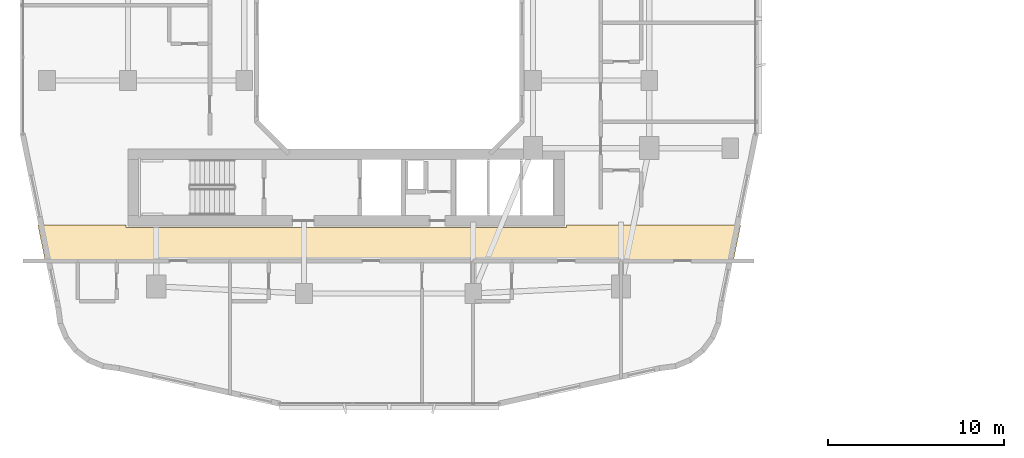
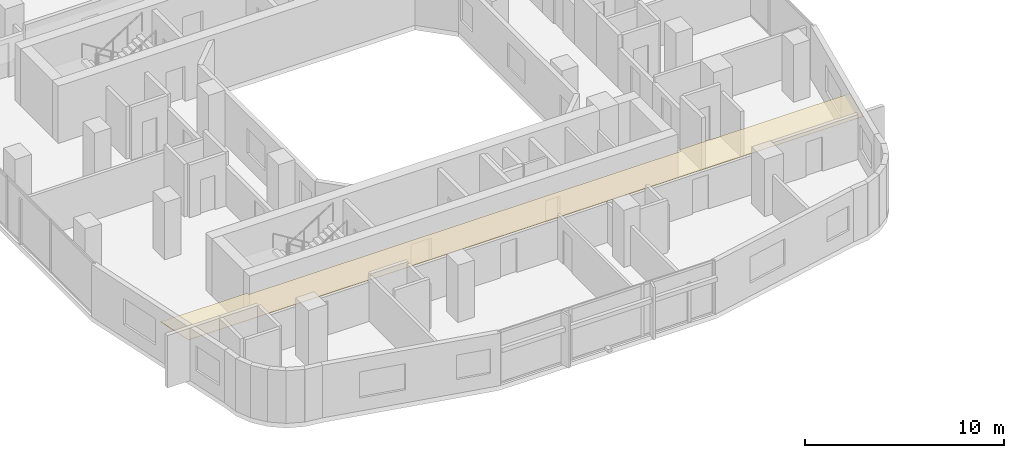
# One storey, part 24 of 27: 1 covering.
"""IFC4 building model written with IfcOpenShell, lengths in metres."""

from ifc_helpers import new_model, si_unit, derived_unit, direction, frame, origin, place, context, subcontext, project, spatial, polyline, outline, extrude, material, layer, layer_set, type_object, element, save


model = new_model("IFC4")

# Units and contexts
model_context = context("Model", 3, precision=1e-05, world=origin(), true_north=direction((0.0, 1.0)))
body_context = subcontext(model_context, "Body", "Model", "MODEL_VIEW")
ifc_project = project(units=[si_unit("LENGTHUNIT", "METRE"), si_unit("AREAUNIT", "SQUARE_METRE"), si_unit("VOLUMEUNIT", "CUBIC_METRE"), si_unit("PLANEANGLEUNIT", "RADIAN"), si_unit("MASSUNIT", "GRAM", prefix="KILO"), derived_unit("THERMALTRANSMITTANCEUNIT", [(si_unit("POWERUNIT", "WATT"), 1), (si_unit("LENGTHUNIT", "METRE"), -2), (si_unit("THERMODYNAMICTEMPERATUREUNIT", "KELVIN"), -1)])], contexts=[model_context])

# Site, building, storey
site_placement = place(None, origin())
site = spatial("IfcSite", under=ifc_project, at=site_placement, CompositionType="ELEMENT")
building_placement = place(site_placement, origin())
building = spatial("IfcBuilding", under=site, at=building_placement, Name="Kivonza Crest Hotel", CompositionType="ELEMENT")
storey_placement = place(building_placement, frame((0.0, 0.0, 38.0)))
storey = spatial("IfcBuildingStorey", under=building, at=storey_placement, Name="L09", CompositionType="ELEMENT", Elevation=38.0)

# Covering
ifc_material = material(Name="Mineral-fibre acoustic ceiling tile", Category="gypsum")
ifc_layer = layer(ifc_material, 0.02490234375)
ifc_layer_set = layer_set([ifc_layer], Name="Mineral-fibre acoustic ceiling tile")
covering_type = type_object("IfcCoveringType", Name="CV-CEIL-ACOU", PredefinedType="CEILING", material=ifc_layer_set)
covering_placement = place(storey_placement, frame((0.0, 0.0, 2.449951171875)))
element("IfcCovering", 1, at=covering_placement, inside=storey, type_object=covering_type, Name="L09 Hotel South Guest Corridor suspended ceiling", PredefinedType="CEILING", context=body_context, shape_type="SweptSolid", body=[
    extrude(outline(polyline([(31.10009765625, 13.2900390625), (31.10009765625, 13.139892578125), (6.10009765625, 13.139892578125), (6.10009765625, 13.280029296875), (1.083984375, 13.280029296875), (1.506103515625, 11.2099609375), (40.573974609375, 11.2099609375), (40.99609375, 13.280029296875), (33.090087890625, 13.280029296875), (33.090087890625, 13.2900390625), (31.10009765625, 13.2900390625)])), origin(), (0.0, 0.0, 1.0), 0.025146484375),
])

save(model, "model.ifc")
